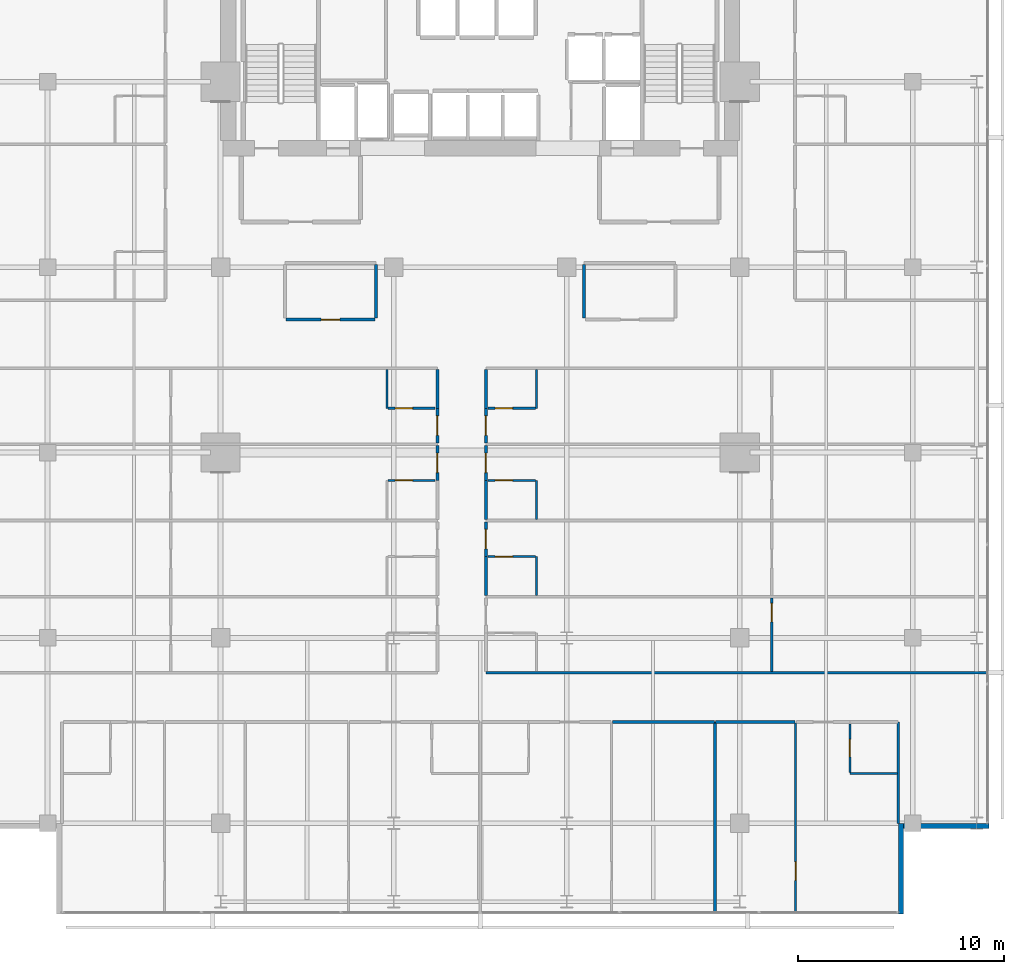
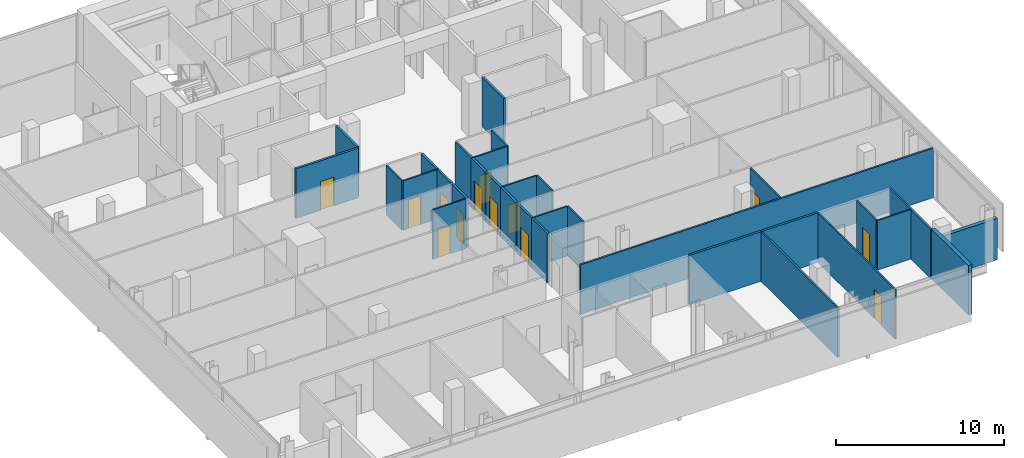
# One storey, part 28 of 34: 32 walls, 14 doors, 14 openings.
"""IFC4 building model written with IfcOpenShell, lengths in metres."""

import ifcopenshell
import ifcopenshell.guid

model = None  # the IFC model being written
_history = None  # IfcOwnerHistory: only IFC2X3 demands one
_inside = {}  # id of a spatial element -> (the spatial element, [elements in it])
_under = {}  # id of a project, library or spatial element -> (it, [spatial elements below it])
_declared = {}  # id of a project -> (the project, [libraries it declares])
_typed = {}  # id of a type object -> (the type object, [elements of that type])
_made_of = {}  # id of a material, layer set ... -> (it, [elements and type objects made of it])


def new_model(schema):
    """Start an empty IFC model of exactly this schema.

    Asked for "IFC4X3", IfcOpenShell would pick the latest addendum, in which some entities
    have other attributes; the version numbers below select the first issue.
    IFC2X3 requires an IfcOwnerHistory on every rooted entity: one is made here for all.
    """
    global model, _history
    if schema == "IFC4X3":
        model = ifcopenshell.file(schema_version=(4, 3, 0, 0))
    else:
        model = ifcopenshell.file(schema=schema)
    _inside.clear()
    _under.clear()
    _declared.clear()
    _typed.clear()
    _made_of.clear()
    _history = None
    if model.schema == "IFC2X3":
        org = make("IfcOrganization", Name="unknown")
        user = make(
            "IfcPersonAndOrganization",
            ThePerson=make("IfcPerson", FamilyName="unknown"),
            TheOrganization=org,
        )
        app = make(
            "IfcApplication",
            ApplicationDeveloper=org,
            Version="unknown",
            ApplicationFullName="unknown",
            ApplicationIdentifier="unknown",
        )
        _history = make(
            "IfcOwnerHistory",
            OwningUser=user,
            OwningApplication=app,
            ChangeAction="ADDED",
            CreationDate=0,
        )
    return model


def make(cls, **values):
    """One entity of the class cls with the attributes given. An attribute that is None is left unset."""
    return model.create_entity(
        cls, **{name: value for name, value in values.items() if value is not None}
    )


def rooted(cls, **values):
    """An entity with a GlobalId (a new one), such as an element, a storey or a relation."""
    return make(cls, GlobalId=ifcopenshell.guid.new(), OwnerHistory=_history, **values)


def si_unit(unit_type, name, prefix=None):
    """IfcSIUnit, for example si_unit("LENGTHUNIT", "METRE", prefix="MILLI")."""
    return make("IfcSIUnit", UnitType=unit_type, Prefix=prefix, Name=name)


def assignment(units):
    """IfcUnitAssignment: the units of a project."""
    return None if units is None else make("IfcUnitAssignment", Units=units)


def point(xyz):
    """IfcCartesianPoint."""
    return None if xyz is None else make("IfcCartesianPoint", Coordinates=xyz)


def direction(xyz):
    """IfcDirection."""
    return None if xyz is None else make("IfcDirection", DirectionRatios=xyz)


def frame(location, z_axis=None, x_axis=None):
    """IfcAxis2Placement3D, a coordinate frame: its origin and axes. An axis left out is left unset."""
    return make(
        "IfcAxis2Placement3D",
        Location=point(location),
        Axis=direction(z_axis),
        RefDirection=direction(x_axis),
    )


def frame_2d(location, x_axis=None):
    """IfcAxis2Placement2D, a coordinate frame in the plane: its origin and x axis."""
    return make(
        "IfcAxis2Placement2D", Location=point(location), RefDirection=direction(x_axis)
    )


def origin():
    """The frame at (0, 0, 0) with its axes left unset."""
    return frame((0.0, 0.0, 0.0))


def place(relative_to, where):
    """IfcLocalPlacement: puts the frame where relative to a parent placement (None: the world)."""
    return make(
        "IfcLocalPlacement", PlacementRelTo=relative_to, RelativePlacement=where
    )


def context(
    kind, dimensions, precision=None, world=None, true_north=None, identifier=None
):
    """IfcGeometricRepresentationContext, for example the 3D "Model" context."""
    return make(
        "IfcGeometricRepresentationContext",
        ContextIdentifier=identifier,
        ContextType=kind,
        CoordinateSpaceDimension=dimensions,
        Precision=precision,
        WorldCoordinateSystem=world,
        TrueNorth=true_north,
    )


def subcontext(parent, identifier, kind, view, scale=None):
    """IfcGeometricRepresentationSubContext, for example "Body" below "Model"."""
    return make(
        "IfcGeometricRepresentationSubContext",
        ContextIdentifier=identifier,
        ContextType=kind,
        ParentContext=parent,
        TargetScale=scale,
        TargetView=view,
    )


def project(units=None, contexts=None):
    """IfcProject with its units and contexts."""
    return rooted(
        "IfcProject",
        Name="project",
        RepresentationContexts=contexts,
        UnitsInContext=assignment(units),
    )


def spatial(cls, under=None, at=None, **own):
    """A site, building, storey or space (cls), placed at a placement, below another one or the project."""
    s = rooted(cls, ObjectPlacement=at, **own)
    if under is not None:
        _under.setdefault(under.id(), (under, []))[1].append(s)
    return s


def profile(cls, at=None, kind="AREA", **sizes):
    """A parametric profile (cls). Its sizes go by their IFC names, for example OverallWidth=200.0."""
    return make(cls, ProfileType=kind, Position=at, **sizes)


def rectangle(**sizes):
    """IfcRectangleProfileDef."""
    return profile("IfcRectangleProfileDef", **sizes)


def extrude(swept, where, along, depth):
    """IfcExtrudedAreaSolid: the profile swept, set in the frame where, extruded along a direction by depth."""
    return make(
        "IfcExtrudedAreaSolid",
        SweptArea=swept,
        Position=where,
        ExtrudedDirection=direction(along),
        Depth=depth,
    )


def shape(context_of_items, identifier, shape_type, items):
    """IfcShapeRepresentation: the items that make up one representation, for example the "Body"."""
    return make(
        "IfcShapeRepresentation",
        ContextOfItems=context_of_items,
        RepresentationIdentifier=identifier,
        RepresentationType=shape_type,
        Items=items,
    )


def material(Name=None, Category=None):
    """IfcMaterial."""
    return make("IfcMaterial", Name=Name, Category=Category)


def layer(
    of_material, thickness, ventilated=None, Name=None, Category=None, Priority=None
):
    """IfcMaterialLayer: one layer of a wall or slab, of a material (None: an air gap)."""
    return make(
        "IfcMaterialLayer",
        Material=of_material,
        LayerThickness=thickness,
        IsVentilated=ventilated,
        Name=Name,
        Category=Category,
        Priority=Priority,
    )


def layer_set(layers, Name=None):
    """IfcMaterialLayerSet."""
    return make("IfcMaterialLayerSet", MaterialLayers=layers, LayerSetName=Name)


def made_of(thing, what):
    """Note that an element or type object is made of a material, layer set ...; save() writes the relation."""
    if what is not None:
        _made_of.setdefault(what.id(), (what, []))[1].append(thing)
    return thing


def type_object(cls, material=None, **own):
    """A type object (cls), such as IfcWallType, which elements share."""
    return made_of(rooted(cls, **own), material)


def element(
    cls,
    number,
    at=None,
    inside=None,
    cuts=None,
    type_object=None,
    material=None,
    context=None,
    identifier="Body",
    shape_type=None,
    held_by="IfcProductDefinitionShape",
    body=None,
    shapes=None,
    **own,
):
    """One element of the class cls, such as IfcWall. Its Tag is "e" and its number.

    at: its placement. inside: the storey or other place that contains it. cuts: it is an
    opening in that element (IfcRelVoidsElement). A single representation is given by context,
    identifier, shape_type and body (its items); several are given by shapes. held_by: the class
    of the entity that holds the representations. save() writes the other relations.
    """
    e = rooted(cls, Tag="e%d" % number, ObjectPlacement=at, **own)
    if body is not None:
        shapes = [shape(context, identifier, shape_type, body)]
    if shapes is not None:
        e.Representation = make(held_by, Representations=shapes)
    if inside is not None:
        _inside.setdefault(inside.id(), (inside, []))[1].append(e)
    if cuts is not None:
        rooted(
            "IfcRelVoidsElement", RelatingBuildingElement=cuts, RelatedOpeningElement=e
        )
    if type_object is not None:
        _typed.setdefault(type_object.id(), (type_object, []))[1].append(e)
    return made_of(e, material)


def fill(opening, filler):
    """IfcRelFillsElement: the door or window that sits in an opening."""
    return rooted(
        "IfcRelFillsElement",
        RelatingOpeningElement=opening,
        RelatedBuildingElement=filler,
    )


def aggregate(whole, parts):
    """IfcRelAggregates: a whole, such as a stair, and the parts it consists of."""
    return rooted("IfcRelAggregates", RelatingObject=whole, RelatedObjects=parts)


def save(model, path):
    """Write the relations noted so far, then the file.

    IfcRelAggregates (storeys below a building ...), IfcRelContainedInSpatialStructure (elements
    in a storey), IfcRelDefinesByType, IfcRelAssociatesMaterial and IfcRelDeclares: one each for
    every whole, place, type object, material and project.
    """
    for whole, parts in _under.values():
        aggregate(whole, parts)
    for where, things in _inside.values():
        rooted(
            "IfcRelContainedInSpatialStructure",
            RelatedElements=things,
            RelatingStructure=where,
        )
    for kind, things in _typed.values():
        rooted("IfcRelDefinesByType", RelatedObjects=things, RelatingType=kind)
    for what, things in _made_of.values():
        rooted("IfcRelAssociatesMaterial", RelatedObjects=things, RelatingMaterial=what)
    for by, libraries in _declared.values():
        rooted("IfcRelDeclares", RelatingContext=by, RelatedDefinitions=libraries)
    model.write(path)


model = new_model("IFC4")

# Units and contexts
model_context = context("Model", 3, precision=1e-05, world=origin(), true_north=direction((0.0, 1.0)))
body_context = subcontext(model_context, "Body", "Model", "MODEL_VIEW")
ifc_project = project(units=[si_unit("LENGTHUNIT", "METRE"), si_unit("AREAUNIT", "SQUARE_METRE"), si_unit("VOLUMEUNIT", "CUBIC_METRE"), si_unit("PLANEANGLEUNIT", "RADIAN"), si_unit("MASSUNIT", "GRAM", prefix="KILO")], contexts=[model_context])

# Site, building, storey
site_placement = place(None, origin())
site = spatial("IfcSite", under=ifc_project, at=site_placement, CompositionType="ELEMENT")
building_placement = place(site_placement, origin())
building = spatial("IfcBuilding", under=site, at=building_placement, Name="Maruvema Waterfront Hotel and Observation Tower", CompositionType="ELEMENT")
storey_placement = place(building_placement, frame((0.0, 0.0, 189.0)))
storey = spatial("IfcBuildingStorey", under=building, at=storey_placement, Name="L46", CompositionType="ELEMENT", Elevation=189.0)

# Wall
ifc_material_1 = material(Name="Twin-stud acoustic gypsum drywall", Category="gypsum")
ifc_layer_1 = layer(ifc_material_1, 0.14990234375, Name="Acoustic Corridor and Suite Demising Wall 150 mm")
ifc_layer_set_1 = layer_set([ifc_layer_1], Name="Twin-stud acoustic gypsum drywall")
wall_type_1 = type_object("IfcWallType", Name="Acoustic Corridor and Suite Demising Wall 150 mm", PredefinedType="PARTITIONING", material=ifc_layer_set_1)
wall_1_placement = place(storey_placement, frame((32.75, 33.530029296875, 0.0), z_axis=(0.0, 0.0, 1.0), x_axis=(0.0, 1.0, 0.0)))
element("IfcWall", 1, at=wall_1_placement, inside=storey, type_object=wall_type_1, Name="L46 L46-M1 East Wall 019", PredefinedType="PARTITIONING", context=body_context, shape_type="SweptSolid", body=[
    extrude(rectangle(XDim=2.590087890625, YDim=0.14990234375, at=frame_2d((1.294921875, 0.0))), origin(), (0.0, 0.0, 1.0), 3.610107421875),
])

# Wall, opening, door
wall_2_placement = place(storey_placement, frame((28.3798828125, 33.449951171875, 0.0), z_axis=(0.0, 0.0, 1.0), x_axis=(1.0, 0.0, 0.0)))
wall_2 = element("IfcWall", 2, at=wall_2_placement, inside=storey, type_object=wall_type_1, Name="L46 L46-M1 Front 1 020", PredefinedType="PARTITIONING", context=body_context, shape_type="SweptSolid", body=[
    extrude(rectangle(XDim=4.31005859375, YDim=0.14990234375, at=frame_2d((2.155029296875, 0.0))), origin(), (0.0, 0.0, 1.0), 3.610107421875),
])
opening_1_placement = place(wall_2_placement, frame((1.705078125, 0.0, 0.0)))
opening_1 = element("IfcOpeningElement", 3, at=opening_1_placement, cuts=wall_2, Name="Opening DR-090", PredefinedType="OPENING", context=body_context, shape_type="SweptSolid", body=[
    extrude(rectangle(XDim=0.89990234375, YDim=2.10009765625, at=frame_2d((0.449951171875, 1.050048828125))), frame((0.0, 0.0849609375, 0.0), z_axis=(0.0, -1.0, 0.0), x_axis=(1.0, 0.0, 0.0)), (0.0, 0.0, 1.0), 0.169921875),
])
ifc_material_2 = material(Name="Solid-core lacquered timber leaf", Category="wood")
door_type_1 = type_object("IfcDoorType", Name="Accessible Toilet and Room Door 900x2100 mm", OperationType="NOTDEFINED", PredefinedType="DOOR", material=ifc_material_2)
door_1_placement = place(opening_1_placement, frame((0.89990234375, 0.0, 0.0), z_axis=(0.0, 0.0, 1.0), x_axis=(-1.0, 0.0, 0.0)))
door_1 = element("IfcDoor", 4, at=door_1_placement, inside=storey, type_object=door_type_1, Name="L46 Library Lounge 1 Door", OperationType="SINGLE_SWING_LEFT", OverallHeight=2.10009765625, OverallWidth=0.89990234375, PredefinedType="DOOR", context=body_context, shape_type="SweptSolid", body=[
    extrude(rectangle(XDim=0.89990234375, YDim=2.10009765625, at=frame_2d((0.449951171875, 1.050048828125))), frame((0.0, 0.02490234375, 0.0), z_axis=(0.0, -1.0, 0.0), x_axis=(1.0, 0.0, 0.0)), (0.0, 0.0, 1.0), 0.050048828125),
])
fill(opening_1, door_1)

# Walls
wall_3_placement = place(storey_placement, frame((42.85009765625, 33.530029296875, 0.0), z_axis=(0.0, 0.0, 1.0), x_axis=(0.0, 1.0, 0.0)))
element("IfcWall", 5, at=wall_3_placement, inside=storey, type_object=wall_type_1, Name="L46 L46-M2 West Wall 022", PredefinedType="PARTITIONING", context=body_context, shape_type="SweptSolid", body=[
    extrude(rectangle(XDim=2.590087890625, YDim=0.14990234375, at=frame_2d((1.294921875, 0.0))), origin(), (0.0, 0.0, 1.0), 3.610107421875),
])
wall_4_placement = place(storey_placement, frame((44.22412109375, 13.919921875, 0.0), z_axis=(0.0, 0.0, 1.0), x_axis=(1.0, 0.0, 0.0)))
element("IfcWall", 6, at=wall_4_placement, inside=storey, type_object=wall_type_1, Name="L46 Bedroom L46-S3 Back Wall 045", PredefinedType="PARTITIONING", context=body_context, shape_type="SweptSolid", body=[
    extrude(rectangle(XDim=4.955810546875, YDim=0.14990234375, at=frame_2d((2.47802734375, 0.0))), origin(), (0.0, 0.0, 1.0), 3.610107421875),
])
wall_5_placement = place(storey_placement, frame((49.219970703125, 13.919921875, 0.0), z_axis=(0.0, 0.0, 1.0), x_axis=(1.0, 0.0, 0.0)))
element("IfcWall", 7, at=wall_5_placement, inside=storey, type_object=wall_type_1, Name="L46 Bedroom L46-S4 Back Wall 051", PredefinedType="PARTITIONING", context=body_context, shape_type="SweptSolid", body=[
    extrude(rectangle(XDim=3.85595703125, YDim=0.14990234375, at=frame_2d((1.927978515625, 0.0))), origin(), (0.0, 0.0, 1.0), 3.610107421875),
])
wall_6_placement = place(storey_placement, frame((38.080078125, 20.06005859375, 0.0), z_axis=(0.0, 0.0, 1.0), x_axis=(0.0, 1.0, 0.0)))
element("IfcWall", 8, at=wall_6_placement, inside=storey, type_object=wall_type_1, Name="L46 Bath L46-E2 Wall 075", PredefinedType="PARTITIONING", context=body_context, shape_type="SweptSolid", body=[
    extrude(rectangle(XDim=1.889892578125, YDim=0.14990234375, at=frame_2d((0.94482421875, 0.0))), origin(), (0.0, 0.0, 1.0), 3.610107421875),
])

# Wall, opening, door
wall_7_placement = place(storey_placement, frame((38.080078125, 21.949951171875, 0.0), z_axis=(0.0, 0.0, 1.0), x_axis=(0.0, 1.0, 0.0)))
wall_7 = element("IfcWall", 9, at=wall_7_placement, inside=storey, type_object=wall_type_1, Name="L46 Room L46-E2 Corridor Wall 076", PredefinedType="PARTITIONING", context=body_context, shape_type="SweptSolid", body=[
    extrude(rectangle(XDim=1.68994140625, YDim=0.14990234375, at=frame_2d((0.844970703125, 0.0))), origin(), (0.0, 0.0, 1.0), 3.610107421875),
])
opening_2_placement = place(wall_7_placement, frame((0.3701171875, 0.0, 0.0)))
opening_2 = element("IfcOpeningElement", 10, at=opening_2_placement, cuts=wall_7, Name="Opening DR-095", PredefinedType="OPENING", context=body_context, shape_type="SweptSolid", body=[
    extrude(rectangle(XDim=0.949951171875, YDim=2.14990234375, at=frame_2d((0.47509765625, 1.074951171875))), frame((0.0, 0.0849609375, 0.0), z_axis=(0.0, -1.0, 0.0), x_axis=(1.0, 0.0, 0.0)), (0.0, 0.0, 1.0), 0.169921875),
])
ifc_material_3 = material(Name="Acoustic solid-core hardwood timber leaf", Category="wood")
door_type_2 = type_object("IfcDoorType", Name="Guestroom Entrance Fire Door 950x2150 mm", OperationType="NOTDEFINED", PredefinedType="DOOR", material=ifc_material_3)
door_2_placement = place(opening_2_placement, frame((0.949951171875, 0.0, 0.0), z_axis=(0.0, 0.0, 1.0), x_axis=(-1.0, 0.0, 0.0)))
door_2 = element("IfcDoor", 11, at=door_2_placement, inside=storey, type_object=door_type_2, Name="L46 Room L46-E2 Entrance Door", OperationType="SINGLE_SWING_LEFT", OverallHeight=2.14990234375, OverallWidth=0.949951171875, PredefinedType="DOOR", context=body_context, shape_type="SweptSolid", body=[
    extrude(rectangle(XDim=0.949951171875, YDim=2.14990234375, at=frame_2d((0.47509765625, 1.074951171875))), frame((0.0, 0.02490234375, 0.0), z_axis=(0.0, -1.0, 0.0), x_axis=(1.0, 0.0, 0.0)), (0.0, 0.0, 1.0), 0.050048828125),
])
fill(opening_2, door_2)

wall_8_placement = place(storey_placement, frame((35.719970703125, 25.64990234375, 0.0), z_axis=(0.0, 0.0, 1.0), x_axis=(0.0, 1.0, 0.0)))
wall_8 = element("IfcWall", 12, at=wall_8_placement, inside=storey, type_object=wall_type_1, Name="L46 Room L46-W3 Corridor Wall 083", PredefinedType="PARTITIONING", context=body_context, shape_type="SweptSolid", body=[
    extrude(rectangle(XDim=1.690185546875, YDim=0.14990234375, at=frame_2d((0.84521484375, 0.0))), origin(), (0.0, 0.0, 1.0), 3.610107421875),
])
opening_3_placement = place(wall_8_placement, frame((0.3701171875, 0.0, 0.0)))
opening_3 = element("IfcOpeningElement", 13, at=opening_3_placement, cuts=wall_8, Name="Opening DR-095", PredefinedType="OPENING", context=body_context, shape_type="SweptSolid", body=[
    extrude(rectangle(XDim=0.949951171875, YDim=2.14990234375, at=frame_2d((0.47509765625, 1.074951171875))), frame((0.0, 0.0849609375, 0.0), z_axis=(0.0, -1.0, 0.0), x_axis=(1.0, 0.0, 0.0)), (0.0, 0.0, 1.0), 0.169921875),
])
door_3_placement = place(opening_3_placement, origin())
door_3 = element("IfcDoor", 14, at=door_3_placement, inside=storey, type_object=door_type_2, Name="L46 Room L46-W3 Entrance Door", OperationType="SINGLE_SWING_RIGHT", OverallHeight=2.14990234375, OverallWidth=0.949951171875, PredefinedType="DOOR", context=body_context, shape_type="SweptSolid", body=[
    extrude(rectangle(XDim=0.949951171875, YDim=2.14990234375, at=frame_2d((0.47509765625, 1.074951171875))), frame((0.0, 0.02490234375, 0.0), z_axis=(0.0, -1.0, 0.0), x_axis=(1.0, 0.0, 0.0)), (0.0, 0.0, 1.0), 0.050048828125),
])
fill(opening_3, door_3)

# Wall
wall_9_placement = place(storey_placement, frame((38.080078125, 23.760009765625, 0.0), z_axis=(0.0, 0.0, 1.0), x_axis=(0.0, 1.0, 0.0)))
element("IfcWall", 15, at=wall_9_placement, inside=storey, type_object=wall_type_1, Name="L46 Bath L46-E3 Wall 087", PredefinedType="PARTITIONING", context=body_context, shape_type="SweptSolid", body=[
    extrude(rectangle(XDim=1.889892578125, YDim=0.14990234375, at=frame_2d((0.94482421875, 0.0))), origin(), (0.0, 0.0, 1.0), 3.610107421875),
])

# Wall, opening, door
wall_10_placement = place(storey_placement, frame((38.080078125, 25.64990234375, 0.0), z_axis=(0.0, 0.0, 1.0), x_axis=(0.0, 1.0, 0.0)))
wall_10 = element("IfcWall", 16, at=wall_10_placement, inside=storey, type_object=wall_type_1, Name="L46 Room L46-E3 Corridor Wall 088", PredefinedType="PARTITIONING", context=body_context, shape_type="SweptSolid", body=[
    extrude(rectangle(XDim=1.690185546875, YDim=0.14990234375, at=frame_2d((0.84521484375, 0.0))), origin(), (0.0, 0.0, 1.0), 3.610107421875),
])
opening_4_placement = place(wall_10_placement, frame((0.3701171875, 0.0, 0.0)))
opening_4 = element("IfcOpeningElement", 17, at=opening_4_placement, cuts=wall_10, Name="Opening DR-095", PredefinedType="OPENING", context=body_context, shape_type="SweptSolid", body=[
    extrude(rectangle(XDim=0.949951171875, YDim=2.14990234375, at=frame_2d((0.47509765625, 1.074951171875))), frame((0.0, 0.0849609375, 0.0), z_axis=(0.0, -1.0, 0.0), x_axis=(1.0, 0.0, 0.0)), (0.0, 0.0, 1.0), 0.169921875),
])
door_4_placement = place(opening_4_placement, frame((0.949951171875, 0.0, 0.0), z_axis=(0.0, 0.0, 1.0), x_axis=(-1.0, 0.0, 0.0)))
door_4 = element("IfcDoor", 18, at=door_4_placement, inside=storey, type_object=door_type_2, Name="L46 Room L46-E3 Entrance Door", OperationType="SINGLE_SWING_LEFT", OverallHeight=2.14990234375, OverallWidth=0.949951171875, PredefinedType="DOOR", context=body_context, shape_type="SweptSolid", body=[
    extrude(rectangle(XDim=0.949951171875, YDim=2.14990234375, at=frame_2d((0.47509765625, 1.074951171875))), frame((0.0, 0.02490234375, 0.0), z_axis=(0.0, -1.0, 0.0), x_axis=(1.0, 0.0, 0.0)), (0.0, 0.0, 1.0), 0.050048828125),
])
fill(opening_4, door_4)

wall_11_placement = place(storey_placement, frame((35.719970703125, 27.4599609375, 0.0), z_axis=(0.0, 0.0, 1.0), x_axis=(0.0, 1.0, 0.0)))
wall_11 = element("IfcWall", 19, at=wall_11_placement, inside=storey, type_object=wall_type_1, Name="L46 Room L46-W4 Corridor Wall 094", PredefinedType="PARTITIONING", context=body_context, shape_type="SweptSolid", body=[
    extrude(rectangle(XDim=1.68994140625, YDim=0.14990234375, at=frame_2d((0.844970703125, 0.0))), origin(), (0.0, 0.0, 1.0), 3.610107421875),
])
opening_5_placement = place(wall_11_placement, frame((0.3701171875, 0.0, 0.0)))
opening_5 = element("IfcOpeningElement", 20, at=opening_5_placement, cuts=wall_11, Name="Opening DR-095", PredefinedType="OPENING", context=body_context, shape_type="SweptSolid", body=[
    extrude(rectangle(XDim=0.949951171875, YDim=2.14990234375, at=frame_2d((0.47509765625, 1.074951171875))), frame((0.0, 0.0849609375, 0.0), z_axis=(0.0, -1.0, 0.0), x_axis=(1.0, 0.0, 0.0)), (0.0, 0.0, 1.0), 0.169921875),
])
door_5_placement = place(opening_5_placement, origin())
door_5 = element("IfcDoor", 21, at=door_5_placement, inside=storey, type_object=door_type_2, Name="L46 Room L46-W4 Entrance Door", OperationType="SINGLE_SWING_RIGHT", OverallHeight=2.14990234375, OverallWidth=0.949951171875, PredefinedType="DOOR", context=body_context, shape_type="SweptSolid", body=[
    extrude(rectangle(XDim=0.949951171875, YDim=2.14990234375, at=frame_2d((0.47509765625, 1.074951171875))), frame((0.0, 0.02490234375, 0.0), z_axis=(0.0, -1.0, 0.0), x_axis=(1.0, 0.0, 0.0)), (0.0, 0.0, 1.0), 0.050048828125),
])
fill(opening_5, door_5)

# Wall
wall_12_placement = place(storey_placement, frame((35.719970703125, 29.14990234375, 0.0), z_axis=(0.0, 0.0, 1.0), x_axis=(0.0, 1.0, 0.0)))
element("IfcWall", 22, at=wall_12_placement, inside=storey, type_object=wall_type_1, Name="L46 Bath L46-W4 Wall 095", PredefinedType="PARTITIONING", context=body_context, shape_type="SweptSolid", body=[
    extrude(rectangle(XDim=1.89013671875, YDim=0.14990234375, at=frame_2d((0.945068359375, 0.0))), origin(), (0.0, 0.0, 1.0), 3.610107421875),
])

# Wall, opening, door
wall_13_placement = place(storey_placement, frame((38.080078125, 27.4599609375, 0.0), z_axis=(0.0, 0.0, 1.0), x_axis=(0.0, 1.0, 0.0)))
wall_13 = element("IfcWall", 23, at=wall_13_placement, inside=storey, type_object=wall_type_1, Name="L46 Room L46-E4 Corridor Wall 099", PredefinedType="PARTITIONING", context=body_context, shape_type="SweptSolid", body=[
    extrude(rectangle(XDim=1.68994140625, YDim=0.14990234375, at=frame_2d((0.844970703125, 0.0))), origin(), (0.0, 0.0, 1.0), 3.610107421875),
])
opening_6_placement = place(wall_13_placement, frame((0.3701171875, 0.0, 0.0)))
opening_6 = element("IfcOpeningElement", 24, at=opening_6_placement, cuts=wall_13, Name="Opening DR-095", PredefinedType="OPENING", context=body_context, shape_type="SweptSolid", body=[
    extrude(rectangle(XDim=0.949951171875, YDim=2.14990234375, at=frame_2d((0.47509765625, 1.074951171875))), frame((0.0, 0.0849609375, 0.0), z_axis=(0.0, -1.0, 0.0), x_axis=(1.0, 0.0, 0.0)), (0.0, 0.0, 1.0), 0.169921875),
])
door_6_placement = place(opening_6_placement, frame((0.949951171875, 0.0, 0.0), z_axis=(0.0, 0.0, 1.0), x_axis=(-1.0, 0.0, 0.0)))
door_6 = element("IfcDoor", 25, at=door_6_placement, inside=storey, type_object=door_type_2, Name="L46 Room L46-E4 Entrance Door", OperationType="SINGLE_SWING_LEFT", OverallHeight=2.14990234375, OverallWidth=0.949951171875, PredefinedType="DOOR", context=body_context, shape_type="SweptSolid", body=[
    extrude(rectangle(XDim=0.949951171875, YDim=2.14990234375, at=frame_2d((0.47509765625, 1.074951171875))), frame((0.0, 0.02490234375, 0.0), z_axis=(0.0, -1.0, 0.0), x_axis=(1.0, 0.0, 0.0)), (0.0, 0.0, 1.0), 0.050048828125),
])
fill(opening_6, door_6)

# Walls
wall_14_placement = place(storey_placement, frame((38.080078125, 29.14990234375, 0.0), z_axis=(0.0, 0.0, 1.0), x_axis=(0.0, 1.0, 0.0)))
element("IfcWall", 26, at=wall_14_placement, inside=storey, type_object=wall_type_1, Name="L46 Bath L46-E4 Wall 100", PredefinedType="PARTITIONING", context=body_context, shape_type="SweptSolid", body=[
    extrude(rectangle(XDim=1.89013671875, YDim=0.14990234375, at=frame_2d((0.945068359375, 0.0))), origin(), (0.0, 0.0, 1.0), 3.610107421875),
])
ifc_material_4 = material(Name="Moisture-resistant cement-board drywall", Category="gypsum")
ifc_layer_2 = layer(ifc_material_4, 0.10009765625, Name="En-Suite Moisture-Resistant Partition 100 mm")
ifc_layer_set_2 = layer_set([ifc_layer_2], Name="Moisture-resistant cement-board drywall")
wall_type_2 = type_object("IfcWallType", Name="En-Suite Moisture-Resistant Partition 100 mm", PredefinedType="PARTITIONING", material=ifc_layer_set_2)
wall_15_placement = place(storey_placement, frame((55.75, 11.419921875, 0.0), z_axis=(0.0, 0.0, 1.0), x_axis=(1.0, 0.0, 0.0)))
element("IfcWall", 27, at=wall_15_placement, inside=storey, type_object=wall_type_2, Name="L46 En-Suite L46-S4 South 049", PredefinedType="PARTITIONING", context=body_context, shape_type="SweptSolid", body=[
    extrude(rectangle(XDim=2.31005859375, YDim=0.10009765625, at=frame_2d((1.155029296875, 0.0))), origin(), (0.0, 0.0, 1.0), 3.610107421875),
])

# Wall, opening, door
wall_16_placement = place(storey_placement, frame((55.75, 11.47998046875, 0.0), z_axis=(0.0, 0.0, 1.0), x_axis=(0.0, 1.0, 0.0)))
wall_16 = element("IfcWall", 28, at=wall_16_placement, inside=storey, type_object=wall_type_2, Name="L46 En-Suite L46-S4 West 050", PredefinedType="PARTITIONING", context=body_context, shape_type="SweptSolid", body=[
    extrude(rectangle(XDim=2.340087890625, YDim=0.10009765625, at=frame_2d((1.169921875, 0.0))), origin(), (0.0, 0.0, 1.0), 3.610107421875),
])
opening_7_placement = place(wall_16_placement, frame((0.7451171875, 0.0, 0.0)))
opening_7 = element("IfcOpeningElement", 29, at=opening_7_placement, cuts=wall_16, Name="Opening DR-085", PredefinedType="OPENING", context=body_context, shape_type="SweptSolid", body=[
    extrude(rectangle(XDim=0.85009765625, YDim=2.10009765625, at=frame_2d((0.425048828125, 1.050048828125))), frame((0.0, 0.06005859375, 0.0), z_axis=(0.0, -1.0, 0.0), x_axis=(1.0, 0.0, 0.0)), (0.0, 0.0, 1.0), 0.1201171875),
])
ifc_material_5 = material(Name="Moisture-resistant solid timber leaf", Category="wood")
door_type_3 = type_object("IfcDoorType", Name="En-Suite Bathroom Door 850x2100 mm", OperationType="NOTDEFINED", PredefinedType="DOOR", material=ifc_material_5)
door_7_placement = place(opening_7_placement, origin())
door_7 = element("IfcDoor", 30, at=door_7_placement, inside=storey, type_object=door_type_3, Name="L46 En-Suite L46-S4 Door", OperationType="SINGLE_SWING_RIGHT", OverallHeight=2.10009765625, OverallWidth=0.85009765625, PredefinedType="DOOR", context=body_context, shape_type="SweptSolid", body=[
    extrude(rectangle(XDim=0.85009765625, YDim=2.10009765625, at=frame_2d((0.425048828125, 1.050048828125))), frame((0.0, 0.02490234375, 0.0), z_axis=(0.0, -1.0, 0.0), x_axis=(1.0, 0.0, 0.0)), (0.0, 0.0, 1.0), 0.050048828125),
])
fill(opening_7, door_7)

wall_17_placement = place(storey_placement, frame((53.115966796875, 4.6298828125, 0.0), z_axis=(0.0, 0.0, 1.0), x_axis=(0.0, 1.0, 0.0)))
wall_17 = element("IfcWall", 31, at=wall_17_placement, inside=storey, type_object=wall_type_2, Name="L46 Suite L46-S4 Split 053", PredefinedType="PARTITIONING", context=body_context, shape_type="SweptSolid", body=[
    extrude(rectangle(XDim=9.230224609375, YDim=0.10009765625, at=frame_2d((4.615234375, 0.0))), origin(), (0.0, 0.0, 1.0), 3.610107421875),
])
opening_8_placement = place(wall_17_placement, frame((1.60009765625, 0.0, 0.0)))
opening_8 = element("IfcOpeningElement", 32, at=opening_8_placement, cuts=wall_17, Name="Opening DR-090", PredefinedType="OPENING", context=body_context, shape_type="SweptSolid", body=[
    extrude(rectangle(XDim=0.89990234375, YDim=2.10009765625, at=frame_2d((0.449951171875, 1.050048828125))), frame((0.0, 0.06005859375, 0.0), z_axis=(0.0, -1.0, 0.0), x_axis=(1.0, 0.0, 0.0)), (0.0, 0.0, 1.0), 0.1201171875),
])
door_8_placement = place(opening_8_placement, frame((0.89990234375, 0.0, 0.0), z_axis=(0.0, 0.0, 1.0), x_axis=(-1.0, 0.0, 0.0)))
door_8 = element("IfcDoor", 33, at=door_8_placement, inside=storey, type_object=door_type_1, Name="L46 Suite L46-S4 Bedroom Door", OperationType="SINGLE_SWING_RIGHT", OverallHeight=2.10009765625, OverallWidth=0.89990234375, PredefinedType="DOOR", context=body_context, shape_type="SweptSolid", body=[
    extrude(rectangle(XDim=0.89990234375, YDim=2.10009765625, at=frame_2d((0.449951171875, 1.050048828125))), frame((0.0, 0.02490234375, 0.0), z_axis=(0.0, -1.0, 0.0), x_axis=(1.0, 0.0, 0.0)), (0.0, 0.0, 1.0), 0.050048828125),
])
fill(opening_8, door_8)

wall_18_placement = place(storey_placement, frame((51.954345703125, 16.360107421875, 0.0), z_axis=(0.0, 0.0, 1.0), x_axis=(0.0, 1.0, 0.0)))
wall_18 = element("IfcWall", 34, at=wall_18_placement, inside=storey, type_object=wall_type_2, Name="L46 Suite L46-E1 Split 067", PredefinedType="PARTITIONING", context=body_context, shape_type="SweptSolid", body=[
    extrude(rectangle(XDim=3.579833984375, YDim=0.10009765625, at=frame_2d((1.7900390625, 0.0))), origin(), (0.0, 0.0, 1.0), 3.610107421875),
])
opening_9_placement = place(wall_18_placement, frame((2.419921875, 0.0, 0.0)))
opening_9 = element("IfcOpeningElement", 35, at=opening_9_placement, cuts=wall_18, Name="Opening DR-090", PredefinedType="OPENING", context=body_context, shape_type="SweptSolid", body=[
    extrude(rectangle(XDim=0.89990234375, YDim=2.10009765625, at=frame_2d((0.449951171875, 1.050048828125))), frame((0.0, 0.06005859375, 0.0), z_axis=(0.0, -1.0, 0.0), x_axis=(1.0, 0.0, 0.0)), (0.0, 0.0, 1.0), 0.1201171875),
])
door_9_placement = place(opening_9_placement, frame((0.89990234375, 0.0, 0.0), z_axis=(0.0, 0.0, 1.0), x_axis=(-1.0, 0.0, 0.0)))
door_9 = element("IfcDoor", 36, at=door_9_placement, inside=storey, type_object=door_type_1, Name="L46 Suite L46-E1 Bedroom Door", OperationType="SINGLE_SWING_RIGHT", OverallHeight=2.10009765625, OverallWidth=0.89990234375, PredefinedType="DOOR", context=body_context, shape_type="SweptSolid", body=[
    extrude(rectangle(XDim=0.89990234375, YDim=2.10009765625, at=frame_2d((0.449951171875, 1.050048828125))), frame((0.0, 0.02490234375, 0.0), z_axis=(0.0, -1.0, 0.0), x_axis=(1.0, 0.0, 0.0)), (0.0, 0.0, 1.0), 0.050048828125),
])
fill(opening_9, door_9)

# Wall
wall_19_placement = place(storey_placement, frame((40.530029296875, 20.06005859375, 0.0), z_axis=(0.0, 0.0, 1.0), x_axis=(0.0, 1.0, 0.0)))
element("IfcWall", 37, at=wall_19_placement, inside=storey, type_object=wall_type_2, Name="L46 En-Suite L46-E2 E 077", PredefinedType="PARTITIONING", context=body_context, shape_type="SweptSolid", body=[
    extrude(rectangle(XDim=1.889892578125, YDim=0.10009765625, at=frame_2d((0.94482421875, 0.0))), origin(), (0.0, 0.0, 1.0), 3.610107421875),
])

# Wall, opening, door
wall_20_placement = place(storey_placement, frame((38.179931640625, 21.949951171875, 0.0), z_axis=(0.0, 0.0, 1.0), x_axis=(1.0, 0.0, 0.0)))
wall_20 = element("IfcWall", 38, at=wall_20_placement, inside=storey, type_object=wall_type_2, Name="L46 En-Suite L46-E2 N 078", PredefinedType="PARTITIONING", context=body_context, shape_type="SweptSolid", body=[
    extrude(rectangle(XDim=2.300048828125, YDim=0.10009765625, at=frame_2d((1.14990234375, 0.0))), origin(), (0.0, 0.0, 1.0), 3.610107421875),
])
opening_10_placement = place(wall_20_placement, frame((0.35009765625, 0.0, 0.0)))
opening_10 = element("IfcOpeningElement", 39, at=opening_10_placement, cuts=wall_20, Name="Opening DR-085", PredefinedType="OPENING", context=body_context, shape_type="SweptSolid", body=[
    extrude(rectangle(XDim=0.85009765625, YDim=2.10009765625, at=frame_2d((0.425048828125, 1.050048828125))), frame((0.0, 0.06005859375, 0.0), z_axis=(0.0, -1.0, 0.0), x_axis=(1.0, 0.0, 0.0)), (0.0, 0.0, 1.0), 0.1201171875),
])
door_10_placement = place(opening_10_placement, origin())
door_10 = element("IfcDoor", 40, at=door_10_placement, inside=storey, type_object=door_type_3, Name="L46 En-Suite L46-E2 Door", OperationType="SINGLE_SWING_RIGHT", OverallHeight=2.10009765625, OverallWidth=0.85009765625, PredefinedType="DOOR", context=body_context, shape_type="SweptSolid", body=[
    extrude(rectangle(XDim=0.85009765625, YDim=2.10009765625, at=frame_2d((0.425048828125, 1.050048828125))), frame((0.0, 0.02490234375, 0.0), z_axis=(0.0, -1.0, 0.0), x_axis=(1.0, 0.0, 0.0)), (0.0, 0.0, 1.0), 0.050048828125),
])
fill(opening_10, door_10)

wall_21_placement = place(storey_placement, frame((33.320068359375, 25.64990234375, 0.0), z_axis=(0.0, 0.0, 1.0), x_axis=(1.0, 0.0, 0.0)))
wall_21 = element("IfcWall", 41, at=wall_21_placement, inside=storey, type_object=wall_type_2, Name="L46 En-Suite L46-W3 N 085", PredefinedType="PARTITIONING", context=body_context, shape_type="SweptSolid", body=[
    extrude(rectangle(XDim=2.300048828125, YDim=0.10009765625, at=frame_2d((1.14990234375, 0.0))), origin(), (0.0, 0.0, 1.0), 3.610107421875),
])
opening_11_placement = place(wall_21_placement, frame((0.35009765625, 0.0, 0.0)))
opening_11 = element("IfcOpeningElement", 42, at=opening_11_placement, cuts=wall_21, Name="Opening DR-085", PredefinedType="OPENING", context=body_context, shape_type="SweptSolid", body=[
    extrude(rectangle(XDim=0.85009765625, YDim=2.10009765625, at=frame_2d((0.425048828125, 1.050048828125))), frame((0.0, 0.06005859375, 0.0), z_axis=(0.0, -1.0, 0.0), x_axis=(1.0, 0.0, 0.0)), (0.0, 0.0, 1.0), 0.1201171875),
])
door_11_placement = place(opening_11_placement, origin())
door_11 = element("IfcDoor", 43, at=door_11_placement, inside=storey, type_object=door_type_3, Name="L46 En-Suite L46-W3 Door", OperationType="SINGLE_SWING_LEFT", OverallHeight=2.10009765625, OverallWidth=0.85009765625, PredefinedType="DOOR", context=body_context, shape_type="SweptSolid", body=[
    extrude(rectangle(XDim=0.85009765625, YDim=2.10009765625, at=frame_2d((0.425048828125, 1.050048828125))), frame((0.0, 0.02490234375, 0.0), z_axis=(0.0, -1.0, 0.0), x_axis=(1.0, 0.0, 0.0)), (0.0, 0.0, 1.0), 0.050048828125),
])
fill(opening_11, door_11)

# Wall
wall_22_placement = place(storey_placement, frame((40.530029296875, 23.760009765625, 0.0), z_axis=(0.0, 0.0, 1.0), x_axis=(0.0, 1.0, 0.0)))
element("IfcWall", 44, at=wall_22_placement, inside=storey, type_object=wall_type_2, Name="L46 En-Suite L46-E3 E 089", PredefinedType="PARTITIONING", context=body_context, shape_type="SweptSolid", body=[
    extrude(rectangle(XDim=1.889892578125, YDim=0.10009765625, at=frame_2d((0.94482421875, 0.0))), origin(), (0.0, 0.0, 1.0), 3.610107421875),
])

# Wall, opening, door
wall_23_placement = place(storey_placement, frame((38.179931640625, 25.64990234375, 0.0), z_axis=(0.0, 0.0, 1.0), x_axis=(1.0, 0.0, 0.0)))
wall_23 = element("IfcWall", 45, at=wall_23_placement, inside=storey, type_object=wall_type_2, Name="L46 En-Suite L46-E3 N 090", PredefinedType="PARTITIONING", context=body_context, shape_type="SweptSolid", body=[
    extrude(rectangle(XDim=2.300048828125, YDim=0.10009765625, at=frame_2d((1.14990234375, 0.0))), origin(), (0.0, 0.0, 1.0), 3.610107421875),
])
opening_12_placement = place(wall_23_placement, frame((0.35009765625, 0.0, 0.0)))
opening_12 = element("IfcOpeningElement", 46, at=opening_12_placement, cuts=wall_23, Name="Opening DR-085", PredefinedType="OPENING", context=body_context, shape_type="SweptSolid", body=[
    extrude(rectangle(XDim=0.85009765625, YDim=2.10009765625, at=frame_2d((0.425048828125, 1.050048828125))), frame((0.0, 0.06005859375, 0.0), z_axis=(0.0, -1.0, 0.0), x_axis=(1.0, 0.0, 0.0)), (0.0, 0.0, 1.0), 0.1201171875),
])
door_12_placement = place(opening_12_placement, origin())
door_12 = element("IfcDoor", 47, at=door_12_placement, inside=storey, type_object=door_type_3, Name="L46 En-Suite L46-E3 Door", OperationType="SINGLE_SWING_RIGHT", OverallHeight=2.10009765625, OverallWidth=0.85009765625, PredefinedType="DOOR", context=body_context, shape_type="SweptSolid", body=[
    extrude(rectangle(XDim=0.85009765625, YDim=2.10009765625, at=frame_2d((0.425048828125, 1.050048828125))), frame((0.0, 0.02490234375, 0.0), z_axis=(0.0, -1.0, 0.0), x_axis=(1.0, 0.0, 0.0)), (0.0, 0.0, 1.0), 0.050048828125),
])
fill(opening_12, door_12)

# Wall
wall_24_placement = place(storey_placement, frame((33.27001953125, 29.14990234375, 0.0), z_axis=(0.0, 0.0, 1.0), x_axis=(0.0, 1.0, 0.0)))
element("IfcWall", 48, at=wall_24_placement, inside=storey, type_object=wall_type_2, Name="L46 En-Suite L46-W4 W 096", PredefinedType="PARTITIONING", context=body_context, shape_type="SweptSolid", body=[
    extrude(rectangle(XDim=1.89013671875, YDim=0.10009765625, at=frame_2d((0.945068359375, 0.0))), origin(), (0.0, 0.0, 1.0), 3.610107421875),
])

# Wall, opening, door
wall_25_placement = place(storey_placement, frame((33.320068359375, 29.14990234375, 0.0), z_axis=(0.0, 0.0, 1.0), x_axis=(1.0, 0.0, 0.0)))
wall_25 = element("IfcWall", 49, at=wall_25_placement, inside=storey, type_object=wall_type_2, Name="L46 En-Suite L46-W4 S 097", PredefinedType="PARTITIONING", context=body_context, shape_type="SweptSolid", body=[
    extrude(rectangle(XDim=2.300048828125, YDim=0.10009765625, at=frame_2d((1.14990234375, 0.0))), origin(), (0.0, 0.0, 1.0), 3.610107421875),
])
opening_13_placement = place(wall_25_placement, frame((0.35009765625, 0.0, 0.0)))
opening_13 = element("IfcOpeningElement", 50, at=opening_13_placement, cuts=wall_25, Name="Opening DR-085", PredefinedType="OPENING", context=body_context, shape_type="SweptSolid", body=[
    extrude(rectangle(XDim=0.85009765625, YDim=2.10009765625, at=frame_2d((0.425048828125, 1.050048828125))), frame((0.0, 0.06005859375, 0.0), z_axis=(0.0, -1.0, 0.0), x_axis=(1.0, 0.0, 0.0)), (0.0, 0.0, 1.0), 0.1201171875),
])
door_13_placement = place(opening_13_placement, frame((0.85009765625, 0.0, 0.0), z_axis=(0.0, 0.0, 1.0), x_axis=(-1.0, 0.0, 0.0)))
door_13 = element("IfcDoor", 51, at=door_13_placement, inside=storey, type_object=door_type_3, Name="L46 En-Suite L46-W4 Door", OperationType="SINGLE_SWING_LEFT", OverallHeight=2.10009765625, OverallWidth=0.85009765625, PredefinedType="DOOR", context=body_context, shape_type="SweptSolid", body=[
    extrude(rectangle(XDim=0.85009765625, YDim=2.10009765625, at=frame_2d((0.425048828125, 1.050048828125))), frame((0.0, 0.02490234375, 0.0), z_axis=(0.0, -1.0, 0.0), x_axis=(1.0, 0.0, 0.0)), (0.0, 0.0, 1.0), 0.050048828125),
])
fill(opening_13, door_13)

# Wall
wall_26_placement = place(storey_placement, frame((40.530029296875, 29.14990234375, 0.0), z_axis=(0.0, 0.0, 1.0), x_axis=(0.0, 1.0, 0.0)))
element("IfcWall", 52, at=wall_26_placement, inside=storey, type_object=wall_type_2, Name="L46 En-Suite L46-E4 E 101", PredefinedType="PARTITIONING", context=body_context, shape_type="SweptSolid", body=[
    extrude(rectangle(XDim=1.89013671875, YDim=0.10009765625, at=frame_2d((0.945068359375, 0.0))), origin(), (0.0, 0.0, 1.0), 3.610107421875),
])

# Wall, opening, door
wall_27_placement = place(storey_placement, frame((38.179931640625, 29.14990234375, 0.0), z_axis=(0.0, 0.0, 1.0), x_axis=(1.0, 0.0, 0.0)))
wall_27 = element("IfcWall", 53, at=wall_27_placement, inside=storey, type_object=wall_type_2, Name="L46 En-Suite L46-E4 S 102", PredefinedType="PARTITIONING", context=body_context, shape_type="SweptSolid", body=[
    extrude(rectangle(XDim=2.300048828125, YDim=0.10009765625, at=frame_2d((1.14990234375, 0.0))), origin(), (0.0, 0.0, 1.0), 3.610107421875),
])
opening_14_placement = place(wall_27_placement, frame((0.35009765625, 0.0, 0.0)))
opening_14 = element("IfcOpeningElement", 54, at=opening_14_placement, cuts=wall_27, Name="Opening DR-085", PredefinedType="OPENING", context=body_context, shape_type="SweptSolid", body=[
    extrude(rectangle(XDim=0.85009765625, YDim=2.10009765625, at=frame_2d((0.425048828125, 1.050048828125))), frame((0.0, 0.06005859375, 0.0), z_axis=(0.0, -1.0, 0.0), x_axis=(1.0, 0.0, 0.0)), (0.0, 0.0, 1.0), 0.1201171875),
])
door_14_placement = place(opening_14_placement, frame((0.85009765625, 0.0, 0.0), z_axis=(0.0, 0.0, 1.0), x_axis=(-1.0, 0.0, 0.0)))
door_14 = element("IfcDoor", 55, at=door_14_placement, inside=storey, type_object=door_type_3, Name="L46 En-Suite L46-E4 Door", OperationType="SINGLE_SWING_RIGHT", OverallHeight=2.10009765625, OverallWidth=0.85009765625, PredefinedType="DOOR", context=body_context, shape_type="SweptSolid", body=[
    extrude(rectangle(XDim=0.85009765625, YDim=2.10009765625, at=frame_2d((0.425048828125, 1.050048828125))), frame((0.0, 0.02490234375, 0.0), z_axis=(0.0, -1.0, 0.0), x_axis=(1.0, 0.0, 0.0)), (0.0, 0.0, 1.0), 0.050048828125),
])
fill(opening_14, door_14)

# Walls
ifc_material_6 = material(Name="Precast concrete C45/55 with honed Pernambuco granite facing", Category="masonry")
ifc_layer_3 = layer(ifc_material_6, 0.260009765625, Name="Exterior Granite Clad Spandrel and Pier Wall 260 mm")
ifc_layer_set_3 = layer_set([ifc_layer_3], Name="Precast concrete C45/55 with honed Pernambuco granite facing")
wall_type_3 = type_object("IfcWallType", Name="Exterior Granite Clad Spandrel and Pier Wall 260 mm", PredefinedType="SOLIDWALL", material=ifc_layer_set_3)
wall_28_placement = place(storey_placement, frame((58.22998046875, 9.0, 0.0), z_axis=(0.0, 0.0, 1.0), x_axis=(0.0, -1.0, 0.0)))
element("IfcWall", 56, at=wall_28_placement, inside=storey, type_object=wall_type_3, Name="L46 Corner Notch Granite Pier Wall SE1", PredefinedType="SOLIDWALL", context=body_context, shape_type="SweptSolid", body=[
    extrude(rectangle(XDim=4.39990234375, YDim=0.260009765625, at=frame_2d((2.199951171875, 0.0))), origin(), (0.0, 0.0, 1.0), 3.610107421875),
])
wall_29_placement = place(storey_placement, frame((62.5, 8.8701171875, 0.0), z_axis=(0.0, 0.0, 1.0), x_axis=(-1.0, 0.0, 0.0)))
element("IfcWall", 57, at=wall_29_placement, inside=storey, type_object=wall_type_3, Name="L46 Corner Notch Granite Pier Wall SE2", PredefinedType="SOLIDWALL", context=body_context, shape_type="SweptSolid", body=[
    extrude(rectangle(XDim=4.39990234375, YDim=0.260009765625, at=frame_2d((2.199951171875, 0.0))), origin(), (0.0, 0.0, 1.0), 3.007080078125),
])
ifc_material_7 = material(Name="Acoustic gypsum plasterboard drywall", Category="gypsum")
ifc_layer_4 = layer(ifc_material_7, 0.125, Name="Guestroom Acoustic Demising Wall 125 mm")
ifc_layer_set_4 = layer_set([ifc_layer_4], Name="Acoustic gypsum plasterboard drywall")
wall_type_4 = type_object("IfcWallType", Name="Guestroom Acoustic Demising Wall 125 mm", PredefinedType="PARTITIONING", material=ifc_layer_set_4)
wall_30_placement = place(storey_placement, frame((58.10009765625, 9.0, 0.0), z_axis=(0.0, 0.0, 1.0), x_axis=(0.0, 1.0, 0.0)))
element("IfcWall", 58, at=wall_30_placement, inside=storey, type_object=wall_type_4, Name="L46 Z2 S East End 026", PredefinedType="PARTITIONING", context=body_context, shape_type="SweptSolid", body=[
    extrude(rectangle(XDim=4.919921875, YDim=0.125, at=frame_2d((2.4599609375, 0.0))), origin(), (0.0, 0.0, 1.0), 3.610107421875),
])
wall_31_placement = place(storey_placement, frame((49.199951171875, 4.699951171875, 0.0), z_axis=(0.0, 0.0, 1.0), x_axis=(0.0, 1.0, 0.0)))
element("IfcWall", 59, at=wall_31_placement, inside=storey, type_object=wall_type_4, Name="L46 Z2 S Demising 4 047", PredefinedType="PARTITIONING", context=body_context, shape_type="SweptSolid", body=[
    extrude(rectangle(XDim=9.219970703125, YDim=0.125, at=frame_2d((4.60986328125, 0.0))), origin(), (0.0, 0.0, 1.0), 3.610107421875),
])
wall_32_placement = place(storey_placement, frame((38.080078125, 16.300048828125, 0.0), z_axis=(0.0, 0.0, 1.0), x_axis=(1.0, 0.0, 0.0)))
element("IfcWall", 60, at=wall_32_placement, inside=storey, type_object=wall_type_4, Name="L46 Z2 E Bot End 055", PredefinedType="PARTITIONING", context=body_context, shape_type="SweptSolid", body=[
    extrude(rectangle(XDim=24.31982421875, YDim=0.125, at=frame_2d((12.159912109375, 0.0))), origin(), (0.0, 0.0, 1.0), 3.610107421875),
])

save(model, "model.ifc")
